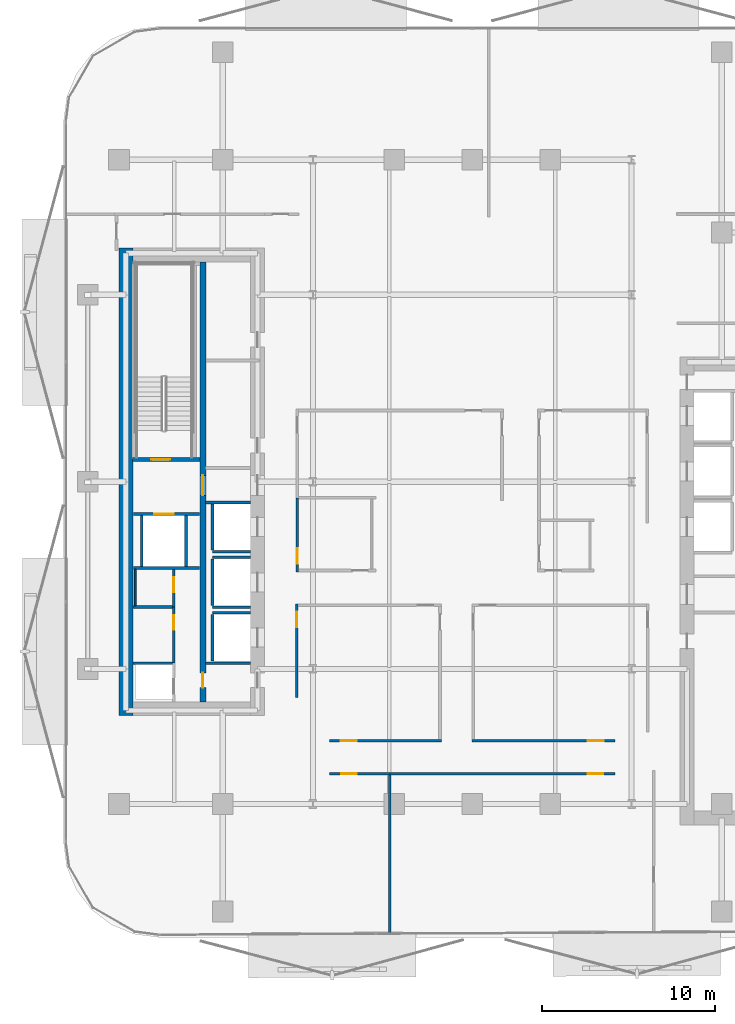
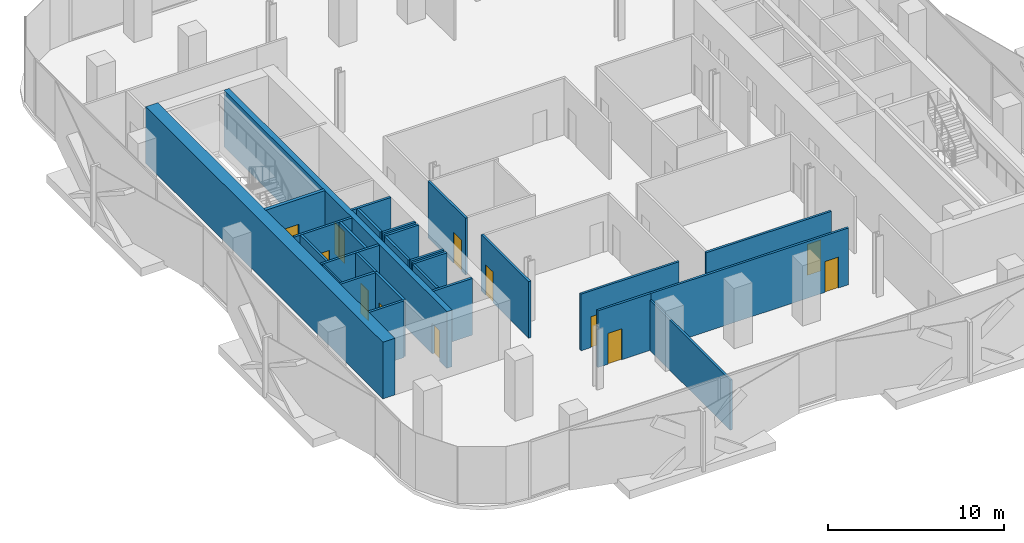
# One storey, part 3 of 15: 28 walls, 12 doors, 12 openings.
"""IFC4 building model written with IfcOpenShell, lengths in metres."""

from ifc_helpers import new_model, si_unit, direction, frame, frame_2d, origin, place, context, subcontext, project, spatial, rectangle, extrude, material, layer, layer_set, type_object, element, fill, save


model = new_model("IFC4")

# Units and contexts
model_context = context("Model", 3, precision=1e-05, world=origin(), true_north=direction((0.0, 1.0)))
body_context = subcontext(model_context, "Body", "Model", "MODEL_VIEW")
ifc_project = project(units=[si_unit("LENGTHUNIT", "METRE"), si_unit("AREAUNIT", "SQUARE_METRE"), si_unit("VOLUMEUNIT", "CUBIC_METRE"), si_unit("PLANEANGLEUNIT", "RADIAN"), si_unit("MASSUNIT", "GRAM", prefix="KILO")], contexts=[model_context])

# Site, building, storey
site_placement = place(None, origin())
site = spatial("IfcSite", under=ifc_project, at=site_placement, CompositionType="ELEMENT")
building_placement = place(site_placement, origin())
building = spatial("IfcBuilding", under=site, at=building_placement, Name="Khairoan Windgate Tower", CompositionType="ELEMENT")
storey_placement = place(building_placement, frame((0.0, 0.0, 110.0)))
storey = spatial("IfcBuildingStorey", under=building, at=storey_placement, Name="L25", CompositionType="ELEMENT", Elevation=110.0)

# Walls
ifc_material_1 = material(Name="Moisture-Resistant Gypsum Partition", Category="gypsum")
ifc_layer_1 = layer(ifc_material_1, 0.10009765625, Name="Moisture-Resistant Gypsum Partition")
ifc_layer_set_1 = layer_set([ifc_layer_1], Name="Moisture-Resistant Gypsum Partition")
wall_type_1 = type_object("IfcWallType", Name="Bathroom Wet-Area Partition Wall", PredefinedType="PARTITIONING", material=ifc_layer_set_1)
wall_1_placement = place(storey_placement, frame((-19.449951171875, -7.14990234375, 0.0), z_axis=(0.0, 0.0, 1.0), x_axis=(0.0, 1.0, 0.0)))
element("IfcWall", 1, at=wall_1_placement, inside=storey, type_object=wall_type_1, Name="L25 Wet Room Side Wall 045", PredefinedType="PARTITIONING", context=body_context, shape_type="SweptSolid", body=[
    extrude(rectangle(XDim=2.08984375, YDim=0.10009765625, at=frame_2d((1.044921875, 0.0))), origin(), (0.0, 0.0, 1.0), 3.93994140625),
])
ifc_material_2 = material(Name="Concrete C40/50", Category="concrete")
ifc_layer_2 = layer(ifc_material_2, 0.159912109375, Name="Concrete C40/50")
ifc_layer_set_2 = layer_set([ifc_layer_2], Name="Concrete C40/50")
wall_type_2 = type_object("IfcWallType", Name="Core and Hoistway Enclosure Wall", PredefinedType="STANDARD", material=ifc_layer_set_2)
wall_2_placement = place(storey_placement, frame((-14.989990234375, -4.0400390625, 0.0), z_axis=(0.0, 0.0, 1.0), x_axis=(1.0, 0.0, 0.0)))
element("IfcWall", 2, at=wall_2_placement, inside=storey, type_object=wall_type_2, Name="L25 Lift PL4 Hoistway Divider S", PredefinedType="STANDARD", context=body_context, shape_type="SweptSolid", body=[
    extrude(rectangle(XDim=2.18994140625, YDim=0.159912109375, at=frame_2d((1.094970703125, 0.0))), origin(), (0.0, 0.0, 1.0), 3.93994140625),
])
wall_3_placement = place(storey_placement, frame((-14.989990234375, -3.949951171875, 0.0), z_axis=(0.0, 0.0, 1.0), x_axis=(0.0, 1.0, 0.0)))
element("IfcWall", 3, at=wall_3_placement, inside=storey, type_object=wall_type_2, Name="L25 Lift PL4 Hoistway Back Wall", PredefinedType="STANDARD", context=body_context, shape_type="SweptSolid", body=[
    extrude(rectangle(XDim=2.699951171875, YDim=0.159912109375, at=frame_2d((1.35009765625, 0.0))), origin(), (0.0, 0.0, 1.0), 3.93994140625),
])
for number, where, z_axis, x_axis, name in (
    (4, (-14.989990234375, -7.239990234375, 0.0), (0.0, 0.0, 1.0), (1.0, 0.0, 0.0), "L25 Lift PL5 Hoistway Divider S"),
    (5, (-14.989990234375, -4.360107421875, 0.0), (0.0, 0.0, 1.0), (1.0, 0.0, 0.0), "L25 Lift PL5 Hoistway Divider N"),
):
    element("IfcWall", number, at=place(storey_placement, frame(where, z_axis=z_axis, x_axis=x_axis)), inside=storey, type_object=wall_type_2, Name=name, PredefinedType="STANDARD", context=body_context, shape_type="SweptSolid", body=[
        extrude(rectangle(XDim=2.18994140625, YDim=0.159912109375, at=frame_2d((1.094970703125, 0.0))), origin(), (0.0, 0.0, 1.0), 3.93994140625),
    ])
wall_4_placement = place(storey_placement, frame((-14.989990234375, -7.14990234375, 0.0), z_axis=(0.0, 0.0, 1.0), x_axis=(0.0, 1.0, 0.0)))
element("IfcWall", 6, at=wall_4_placement, inside=storey, type_object=wall_type_2, Name="L25 Lift PL5 Hoistway Back Wall", PredefinedType="STANDARD", context=body_context, shape_type="SweptSolid", body=[
    extrude(rectangle(XDim=2.699951171875, YDim=0.159912109375, at=frame_2d((1.35009765625, 0.0))), origin(), (0.0, 0.0, 1.0), 3.93994140625),
])
wall_5_placement = place(storey_placement, frame((-14.989990234375, -7.56005859375, 0.0), z_axis=(0.0, 0.0, 1.0), x_axis=(1.0, 0.0, 0.0)))
element("IfcWall", 7, at=wall_5_placement, inside=storey, type_object=wall_type_2, Name="L25 Lift PL6 Hoistway Divider N", PredefinedType="STANDARD", context=body_context, shape_type="SweptSolid", body=[
    extrude(rectangle(XDim=2.18994140625, YDim=0.159912109375, at=frame_2d((1.094970703125, 0.0))), origin(), (0.0, 0.0, 1.0), 3.93994140625),
])
wall_6_placement = place(storey_placement, frame((-14.989990234375, -10.35009765625, 0.0), z_axis=(0.0, 0.0, 1.0), x_axis=(0.0, 1.0, 0.0)))
element("IfcWall", 8, at=wall_6_placement, inside=storey, type_object=wall_type_2, Name="L25 Lift PL6 Hoistway Back Wall", PredefinedType="STANDARD", context=body_context, shape_type="SweptSolid", body=[
    extrude(rectangle(XDim=2.7001953125, YDim=0.159912109375, at=frame_2d((1.35009765625, 0.0))), origin(), (0.0, 0.0, 1.0), 3.93994140625),
])

# Wall, opening, door
wall_7_placement = place(storey_placement, frame((-19.550048828125, -1.860107421875, 0.0), z_axis=(0.0, 0.0, 1.0), x_axis=(1.0, 0.0, 0.0)))
wall_7 = element("IfcWall", 9, at=wall_7_placement, inside=storey, type_object=wall_type_2, Name="L25 Core Shaft Wall SW-FL2-L25", PredefinedType="STANDARD", context=body_context, shape_type="SweptSolid", body=[
    extrude(rectangle(XDim=3.800048828125, YDim=0.159912109375, at=frame_2d((1.89990234375, 0.0))), origin(), (0.0, 0.0, 1.0), 3.93994140625),
])
opening_1_placement = place(wall_7_placement, frame((1.179931640625, 0.0, 0.0)))
opening_1 = element("IfcOpeningElement", 10, at=opening_1_placement, cuts=wall_7, Name="Opening LD-FL", PredefinedType="OPENING", context=body_context, shape_type="SweptSolid", body=[
    extrude(rectangle(XDim=1.14990234375, YDim=2.199951171875, at=frame_2d((0.574951171875, 1.10009765625))), frame((0.0, 0.08984375, 0.0), z_axis=(0.0, -1.0, 0.0), x_axis=(1.0, 0.0, 0.0)), (0.0, 0.0, 1.0), 0.179931640625),
])
ifc_material_3 = material(Name="Steel S355", Category="steel")
door_type_1 = type_object("IfcDoorType", Name="Firefighting Lift Sliding Landing Door LD-FL 1150x2200", OperationType="DOUBLE_DOOR_SLIDING", PredefinedType="DOOR", material=ifc_material_3)
door_1_placement = place(opening_1_placement, origin())
door_1 = element("IfcDoor", 11, at=door_1_placement, inside=storey, type_object=door_type_1, Name="L25 Firefighting Lift FL2 Landing Door", OperationType="DOUBLE_DOOR_SLIDING", OverallHeight=2.199951171875, OverallWidth=1.14990234375, PredefinedType="DOOR", context=body_context, shape_type="SweptSolid", body=[
    extrude(rectangle(XDim=1.14990234375, YDim=2.199951171875, at=frame_2d((0.574951171875, 1.10009765625))), frame((0.0, 0.02490234375, 0.0), z_axis=(0.0, -1.0, 0.0), x_axis=(1.0, 0.0, 0.0)), (0.0, 0.0, 1.0), 0.050048828125),
])
fill(opening_1, door_1)

# Walls
wall_8_placement = place(storey_placement, frame((-19.550048828125, -4.97998046875, 0.0), z_axis=(0.0, 0.0, 1.0), x_axis=(1.0, 0.0, 0.0)))
element("IfcWall", 12, at=wall_8_placement, inside=storey, type_object=wall_type_2, Name="L25 Core Shaft Wall SW-FL2B-L25", PredefinedType="STANDARD", context=body_context, shape_type="SweptSolid", body=[
    extrude(rectangle(XDim=3.800048828125, YDim=0.159912109375, at=frame_2d((1.89990234375, 0.0))), origin(), (0.0, 0.0, 1.0), 3.93994140625),
])
for number, where, z_axis, x_axis, name in (
    (13, (-19.080078125, -4.89990234375, 0.0), (0.0, 0.0, 1.0), (0.0, 1.0, 0.0), "L25 Core Shaft Wall SW-FL2W-L25"),
    (14, (-16.52001953125, -4.89990234375, 0.0), (0.0, 0.0, 1.0), (0.0, 1.0, 0.0), "L25 Core Shaft Wall SW-FL2E-L25"),
):
    element("IfcWall", number, at=place(storey_placement, frame(where, z_axis=z_axis, x_axis=x_axis)), inside=storey, type_object=wall_type_2, Name=name, PredefinedType="STANDARD", context=body_context, shape_type="SweptSolid", body=[
        extrude(rectangle(XDim=2.9599609375, YDim=0.159912109375, at=frame_2d((1.47998046875, 0.0))), origin(), (0.0, 0.0, 1.0), 3.93994140625),
    ])
for number, where, z_axis, x_axis, name in (
    (15, (-15.39990234375, -1.199951171875, 0.0), (0.0, 0.0, 1.0), (1.0, 0.0, 0.0), "L25 Core Shaft Wall SW-WV2-L25"),
    (16, (-15.39990234375, -10.47998046875, 0.0), (0.0, 0.0, 1.0), (1.0, 0.0, 0.0), "L25 Core Shaft Wall SW-WSV-L25"),
):
    element("IfcWall", number, at=place(storey_placement, frame(where, z_axis=z_axis, x_axis=x_axis)), inside=storey, type_object=wall_type_2, Name=name, PredefinedType="STANDARD", context=body_context, shape_type="SweptSolid", body=[
        extrude(rectangle(XDim=2.599853515625, YDim=0.159912109375, at=frame_2d((1.2998046875, 0.0))), origin(), (0.0, 0.0, 1.0), 3.93994140625),
    ])
ifc_material_4 = material(Name="Acoustic Fire-Rated Gypsum Partition", Category="gypsum")
ifc_layer_3 = layer(ifc_material_4, 0.139892578125, Name="Acoustic Fire-Rated Gypsum Partition")
ifc_layer_set_3 = layer_set([ifc_layer_3], Name="Acoustic Fire-Rated Gypsum Partition")
wall_type_3 = type_object("IfcWallType", Name="Inter-Tenancy Compartment Wall", PredefinedType="PARTITIONING", material=ifc_layer_set_3)
wall_9_placement = place(storey_placement, frame((-4.760009765625, -26.08984375, 0.0), z_axis=(0.0, 0.0, 1.0), x_axis=(0.0, 1.0, 0.0)))
element("IfcWall", 17, at=wall_9_placement, inside=storey, type_object=wall_type_3, Name="L25 Interior Partition 041", PredefinedType="PARTITIONING", context=body_context, shape_type="SweptSolid", body=[
    extrude(rectangle(XDim=9.15478515625, YDim=0.139892578125, at=frame_2d((4.577392578125, 0.0))), origin(), (0.0, 0.0, 1.0), 3.489990234375),
])

# Wall, opening, door
ifc_material_5 = material(Name="Concrete C40/50", Category="concrete")
ifc_layer_4 = layer(ifc_material_5, 0.159912109375, Name="Concrete C40/50")
ifc_layer_set_4 = layer_set([ifc_layer_4], Name="Concrete C40/50")
wall_type_4 = type_object("IfcWallType", Name="Plant and Refuge Compartment Wall", PredefinedType="PARTITIONING", material=ifc_layer_set_4)
wall_10_placement = place(storey_placement, frame((-17.22998046875, -7.22998046875, 0.0), z_axis=(0.0, 0.0, 1.0), x_axis=(0.0, 1.0, 0.0)))
wall_10 = element("IfcWall", 18, at=wall_10_placement, inside=storey, type_object=wall_type_4, Name="L25 Interior Partition 002", PredefinedType="PARTITIONING", context=body_context, shape_type="SweptSolid", body=[
    extrude(rectangle(XDim=2.169921875, YDim=0.159912109375, at=frame_2d((1.0849609375, 0.0))), origin(), (0.0, 0.0, 1.0), 3.93994140625),
])
opening_2_placement = place(wall_10_placement, frame((0.860107421875, 0.0, 0.0)))
opening_2 = element("IfcOpeningElement", 19, at=opening_2_placement, cuts=wall_10, Name="Opening FD-SRV", PredefinedType="OPENING", context=body_context, shape_type="SweptSolid", body=[
    extrude(rectangle(XDim=0.85009765625, YDim=2.10009765625, at=frame_2d((0.425048828125, 1.050048828125))), frame((0.0, 0.08984375, 0.0), z_axis=(0.0, -1.0, 0.0), x_axis=(1.0, 0.0, 0.0)), (0.0, 0.0, 1.0), 0.179931640625),
])
ifc_material_6 = material(Name="Steel S355", Category="steel")
door_type_2 = type_object("IfcDoorType", Name="Core Service and Riser Fire Door FD-SRV 850x2100", OperationType="NOTDEFINED", PredefinedType="DOOR", material=ifc_material_6)
door_2_placement = place(opening_2_placement, origin())
door_2 = element("IfcDoor", 20, at=door_2_placement, inside=storey, type_object=door_type_2, Name="L25 L25-04-L25-06 Door", OperationType="SINGLE_SWING_LEFT", OverallHeight=2.10009765625, OverallWidth=0.85009765625, PredefinedType="DOOR", context=body_context, shape_type="SweptSolid", body=[
    extrude(rectangle(XDim=0.85009765625, YDim=2.10009765625, at=frame_2d((0.425048828125, 1.050048828125))), frame((0.0, 0.02490234375, 0.0), z_axis=(0.0, -1.0, 0.0), x_axis=(1.0, 0.0, 0.0)), (0.0, 0.0, 1.0), 0.050048828125),
])
fill(opening_2, door_2)

wall_11_placement = place(storey_placement, frame((-17.22998046875, -10.469970703125, 0.0), z_axis=(0.0, 0.0, 1.0), x_axis=(0.0, 1.0, 0.0)))
wall_11 = element("IfcWall", 21, at=wall_11_placement, inside=storey, type_object=wall_type_4, Name="L25 Interior Partition 003", PredefinedType="PARTITIONING", context=body_context, shape_type="SweptSolid", body=[
    extrude(rectangle(XDim=3.239990234375, YDim=0.159912109375, at=frame_2d((1.6201171875, 0.0))), origin(), (0.0, 0.0, 1.0), 3.93994140625),
])
opening_3_placement = place(wall_11_placement, frame((1.929931640625, 0.0, 0.0)))
opening_3 = element("IfcOpeningElement", 22, at=opening_3_placement, cuts=wall_11, Name="Opening FD-SRV", PredefinedType="OPENING", context=body_context, shape_type="SweptSolid", body=[
    extrude(rectangle(XDim=0.85009765625, YDim=2.10009765625, at=frame_2d((0.425048828125, 1.050048828125))), frame((0.0, 0.08984375, 0.0), z_axis=(0.0, -1.0, 0.0), x_axis=(1.0, 0.0, 0.0)), (0.0, 0.0, 1.0), 0.179931640625),
])
door_3_placement = place(opening_3_placement, origin())
door_3 = element("IfcDoor", 23, at=door_3_placement, inside=storey, type_object=door_type_2, Name="L25 L25-04-L25-07 Door", OperationType="SINGLE_SWING_RIGHT", OverallHeight=2.10009765625, OverallWidth=0.85009765625, PredefinedType="DOOR", context=body_context, shape_type="SweptSolid", body=[
    extrude(rectangle(XDim=0.85009765625, YDim=2.10009765625, at=frame_2d((0.425048828125, 1.050048828125))), frame((0.0, 0.02490234375, 0.0), z_axis=(0.0, -1.0, 0.0), x_axis=(1.0, 0.0, 0.0)), (0.0, 0.0, 1.0), 0.050048828125),
])
fill(opening_3, door_3)

# Walls
for number, where, z_axis, x_axis, name in (
    (24, (-19.60009765625, -10.469970703125, 0.0), (0.0, 0.0, 1.0), (1.0, 0.0, 0.0), "L25 Interior Partition 004"),
    (25, (-19.60009765625, -7.22998046875, 0.0), (0.0, 0.0, 1.0), (1.0, 0.0, 0.0), "L25 Interior Partition 005"),
):
    element("IfcWall", number, at=place(storey_placement, frame(where, z_axis=z_axis, x_axis=x_axis)), inside=storey, type_object=wall_type_4, Name=name, PredefinedType="PARTITIONING", context=body_context, shape_type="SweptSolid", body=[
        extrude(rectangle(XDim=2.2900390625, YDim=0.159912109375, at=frame_2d((1.14501953125, 0.0))), origin(), (0.0, 0.0, 1.0), 3.93994140625),
    ])

# Wall, opening, door
ifc_material_7 = material(Name="Acoustic Fire-Rated Gypsum Partition", Category="gypsum")
ifc_layer_5 = layer(ifc_material_7, 0.14990234375, Name="Acoustic Fire-Rated Gypsum Partition")
ifc_layer_set_5 = layer_set([ifc_layer_5], Name="Acoustic Fire-Rated Gypsum Partition")
wall_type_5 = type_object("IfcWallType", Name="Rated Corridor Partition Wall", PredefinedType="PARTITIONING", material=ifc_layer_set_5)
wall_12_placement = place(storey_placement, frame((-10.10009765625, -5.195068359375, 0.0), z_axis=(0.0, 0.0, 1.0), x_axis=(0.0, 1.0, 0.0)))
wall_12 = element("IfcWall", 26, at=wall_12_placement, inside=storey, type_object=wall_type_5, Name="L25 Interior Partition 013", PredefinedType="PARTITIONING", context=body_context, shape_type="SweptSolid", body=[
    extrude(rectangle(XDim=4.275146484375, YDim=0.14990234375, at=frame_2d((2.1376953125, 0.0))), origin(), (0.0, 0.0, 1.0), 3.93994140625),
])
opening_4_placement = place(wall_12_placement, frame((0.4599609375, 0.0, 0.0)))
opening_4 = element("IfcOpeningElement", 27, at=opening_4_placement, cuts=wall_12, Name="Opening FD-ENT", PredefinedType="OPENING", context=body_context, shape_type="SweptSolid", body=[
    extrude(rectangle(XDim=0.89990234375, YDim=2.14990234375, at=frame_2d((0.449951171875, 1.074951171875))), frame((0.0, 0.0849609375, 0.0), z_axis=(0.0, -1.0, 0.0), x_axis=(1.0, 0.0, 0.0)), (0.0, 0.0, 1.0), 0.169921875),
])
ifc_material_8 = material(Name="Timber Fire-Rated Core", Category="wood")
door_type_3 = type_object("IfcDoorType", Name="Unit and Office Fire Entrance Door FD-ENT 900x2150", OperationType="NOTDEFINED", PredefinedType="DOOR", material=ifc_material_8)
door_4_placement = place(opening_4_placement, origin())
door_4 = element("IfcDoor", 28, at=door_4_placement, inside=storey, type_object=door_type_3, Name="L25 L25-28-L25-47 Door", OperationType="SINGLE_SWING_LEFT", OverallHeight=2.14990234375, OverallWidth=0.89990234375, PredefinedType="DOOR", context=body_context, shape_type="SweptSolid", body=[
    extrude(rectangle(XDim=0.89990234375, YDim=2.14990234375, at=frame_2d((0.449951171875, 1.074951171875))), frame((0.0, 0.02490234375, 0.0), z_axis=(0.0, -1.0, 0.0), x_axis=(1.0, 0.0, 0.0)), (0.0, 0.0, 1.0), 0.050048828125),
])
fill(opening_4, door_4)

wall_13_placement = place(storey_placement, frame((-10.125, -12.43994140625, 0.0), z_axis=(0.0, 0.0, 1.0), x_axis=(0.0, 1.0, 0.0)))
wall_13 = element("IfcWall", 29, at=wall_13_placement, inside=storey, type_object=wall_type_5, Name="L25 Interior Partition 015", PredefinedType="PARTITIONING", context=body_context, shape_type="SweptSolid", body=[
    extrude(rectangle(XDim=5.39990234375, YDim=0.14990234375, at=frame_2d((2.699951171875, 0.0))), origin(), (0.0, 0.0, 1.0), 3.93994140625),
])
opening_5_placement = place(wall_13_placement, frame((4.0400390625, 0.0, 0.0)))
opening_5 = element("IfcOpeningElement", 30, at=opening_5_placement, cuts=wall_13, Name="Opening FD-ENT", PredefinedType="OPENING", context=body_context, shape_type="SweptSolid", body=[
    extrude(rectangle(XDim=0.89990234375, YDim=2.14990234375, at=frame_2d((0.449951171875, 1.074951171875))), frame((0.0, 0.0849609375, 0.0), z_axis=(0.0, -1.0, 0.0), x_axis=(1.0, 0.0, 0.0)), (0.0, 0.0, 1.0), 0.169921875),
])
door_5_placement = place(opening_5_placement, origin())
door_5 = element("IfcDoor", 31, at=door_5_placement, inside=storey, type_object=door_type_3, Name="L25 L25-28-L25-49 Door", OperationType="SINGLE_SWING_LEFT", OverallHeight=2.14990234375, OverallWidth=0.89990234375, PredefinedType="DOOR", context=body_context, shape_type="SweptSolid", body=[
    extrude(rectangle(XDim=0.89990234375, YDim=2.14990234375, at=frame_2d((0.449951171875, 1.074951171875))), frame((0.0, 0.02490234375, 0.0), z_axis=(0.0, -1.0, 0.0), x_axis=(1.0, 0.0, 0.0)), (0.0, 0.0, 1.0), 0.050048828125),
])
fill(opening_5, door_5)

wall_14_placement = place(storey_placement, frame((-8.239990234375, -16.860107421875, 0.0), z_axis=(0.0, 0.0, 1.0), x_axis=(1.0, 0.0, 0.0)))
wall_14 = element("IfcWall", 32, at=wall_14_placement, inside=storey, type_object=wall_type_5, Name="L25 Interior Partition 031", PredefinedType="PARTITIONING", context=body_context, shape_type="SweptSolid", body=[
    extrude(rectangle(XDim=3.47998046875, YDim=0.14990234375, at=frame_2d((1.739990234375, 0.0))), origin(), (0.0, 0.0, 1.0), 3.93994140625),
])
opening_6_placement = place(wall_14_placement, frame((0.66748046875, 0.0, 0.0)))
opening_6 = element("IfcOpeningElement", 33, at=opening_6_placement, cuts=wall_14, Name="Opening FD-ENT", PredefinedType="OPENING", context=body_context, shape_type="SweptSolid", body=[
    extrude(rectangle(XDim=0.89990234375, YDim=2.14990234375, at=frame_2d((0.449951171875, 1.074951171875))), frame((0.0, 0.0849609375, 0.0), z_axis=(0.0, -1.0, 0.0), x_axis=(1.0, 0.0, 0.0)), (0.0, 0.0, 1.0), 0.169921875),
])
door_6_placement = place(opening_6_placement, origin())
door_6 = element("IfcDoor", 34, at=door_6_placement, inside=storey, type_object=door_type_3, Name="L25 L25-35-L25-42 Door", OperationType="SINGLE_SWING_LEFT", OverallHeight=2.14990234375, OverallWidth=0.89990234375, PredefinedType="DOOR", context=body_context, shape_type="SweptSolid", body=[
    extrude(rectangle(XDim=0.89990234375, YDim=2.14990234375, at=frame_2d((0.449951171875, 1.074951171875))), frame((0.0, 0.02490234375, 0.0), z_axis=(0.0, -1.0, 0.0), x_axis=(1.0, 0.0, 0.0)), (0.0, 0.0, 1.0), 0.050048828125),
])
fill(opening_6, door_6)

wall_15_placement = place(storey_placement, frame((-4.760009765625, -16.860107421875, 0.0), z_axis=(0.0, 0.0, 1.0), x_axis=(1.0, 0.0, 0.0)))
wall_15 = element("IfcWall", 35, at=wall_15_placement, inside=storey, type_object=wall_type_5, Name="L25 Interior Partition 032", PredefinedType="PARTITIONING", context=body_context, shape_type="SweptSolid", body=[
    extrude(rectangle(XDim=13.0, YDim=0.14990234375, at=frame_2d((6.5, 0.0))), origin(), (0.0, 0.0, 1.0), 3.93994140625),
])
opening_7_placement = place(wall_15_placement, frame((11.436767578125, 0.0, 0.0)))
opening_7 = element("IfcOpeningElement", 36, at=opening_7_placement, cuts=wall_15, Name="Opening FD-ENT", PredefinedType="OPENING", context=body_context, shape_type="SweptSolid", body=[
    extrude(rectangle(XDim=0.89990234375, YDim=2.14990234375, at=frame_2d((0.449951171875, 1.074951171875))), frame((0.0, 0.0849609375, 0.0), z_axis=(0.0, -1.0, 0.0), x_axis=(1.0, 0.0, 0.0)), (0.0, 0.0, 1.0), 0.169921875),
])
door_7_placement = place(opening_7_placement, origin())
door_7 = element("IfcDoor", 37, at=door_7_placement, inside=storey, type_object=door_type_3, Name="L25 L25-35-L25-43 Door", OperationType="SINGLE_SWING_RIGHT", OverallHeight=2.14990234375, OverallWidth=0.89990234375, PredefinedType="DOOR", context=body_context, shape_type="SweptSolid", body=[
    extrude(rectangle(XDim=0.89990234375, YDim=2.14990234375, at=frame_2d((0.449951171875, 1.074951171875))), frame((0.0, 0.02490234375, 0.0), z_axis=(0.0, -1.0, 0.0), x_axis=(1.0, 0.0, 0.0)), (0.0, 0.0, 1.0), 0.050048828125),
])
fill(opening_7, door_7)

wall_16_placement = place(storey_placement, frame((-8.239990234375, -14.93994140625, 0.0), z_axis=(0.0, 0.0, 1.0), x_axis=(1.0, 0.0, 0.0)))
wall_16 = element("IfcWall", 38, at=wall_16_placement, inside=storey, type_object=wall_type_5, Name="L25 Interior Partition 033", PredefinedType="PARTITIONING", context=body_context, shape_type="SweptSolid", body=[
    extrude(rectangle(XDim=6.455078125, YDim=0.14990234375, at=frame_2d((3.2275390625, 0.0))), origin(), (0.0, 0.0, 1.0), 3.93994140625),
])
opening_8_placement = place(wall_16_placement, frame((0.66162109375, 0.0, 0.0)))
opening_8 = element("IfcOpeningElement", 39, at=opening_8_placement, cuts=wall_16, Name="Opening FD-ENT", PredefinedType="OPENING", context=body_context, shape_type="SweptSolid", body=[
    extrude(rectangle(XDim=0.89990234375, YDim=2.14990234375, at=frame_2d((0.449951171875, 1.074951171875))), frame((0.0, 0.0849609375, 0.0), z_axis=(0.0, -1.0, 0.0), x_axis=(1.0, 0.0, 0.0)), (0.0, 0.0, 1.0), 0.169921875),
])
door_8_placement = place(opening_8_placement, origin())
door_8 = element("IfcDoor", 40, at=door_8_placement, inside=storey, type_object=door_type_3, Name="L25 L25-35-L25-49 Door", OperationType="SINGLE_SWING_LEFT", OverallHeight=2.14990234375, OverallWidth=0.89990234375, PredefinedType="DOOR", context=body_context, shape_type="SweptSolid", body=[
    extrude(rectangle(XDim=0.89990234375, YDim=2.14990234375, at=frame_2d((0.449951171875, 1.074951171875))), frame((0.0, 0.02490234375, 0.0), z_axis=(0.0, -1.0, 0.0), x_axis=(1.0, 0.0, 0.0)), (0.0, 0.0, 1.0), 0.050048828125),
])
fill(opening_8, door_8)

wall_17_placement = place(storey_placement, frame((-0.014892578125, -14.93994140625, 0.0), z_axis=(0.0, 0.0, 1.0), x_axis=(1.0, 0.0, 0.0)))
wall_17 = element("IfcWall", 41, at=wall_17_placement, inside=storey, type_object=wall_type_5, Name="L25 Interior Partition 034", PredefinedType="PARTITIONING", context=body_context, shape_type="SweptSolid", body=[
    extrude(rectangle(XDim=8.2548828125, YDim=0.14990234375, at=frame_2d((4.12744140625, 0.0))), origin(), (0.0, 0.0, 1.0), 3.93994140625),
])
opening_9_placement = place(wall_17_placement, frame((6.69384765625, 0.0, 0.0)))
opening_9 = element("IfcOpeningElement", 42, at=opening_9_placement, cuts=wall_17, Name="Opening FD-ENT", PredefinedType="OPENING", context=body_context, shape_type="SweptSolid", body=[
    extrude(rectangle(XDim=0.89990234375, YDim=2.14990234375, at=frame_2d((0.449951171875, 1.074951171875))), frame((0.0, 0.0849609375, 0.0), z_axis=(0.0, -1.0, 0.0), x_axis=(1.0, 0.0, 0.0)), (0.0, 0.0, 1.0), 0.169921875),
])
door_9_placement = place(opening_9_placement, origin())
door_9 = element("IfcDoor", 43, at=door_9_placement, inside=storey, type_object=door_type_3, Name="L25 L25-35-L25-50 Door", OperationType="SINGLE_SWING_RIGHT", OverallHeight=2.14990234375, OverallWidth=0.89990234375, PredefinedType="DOOR", context=body_context, shape_type="SweptSolid", body=[
    extrude(rectangle(XDim=0.89990234375, YDim=2.14990234375, at=frame_2d((0.449951171875, 1.074951171875))), frame((0.0, 0.02490234375, 0.0), z_axis=(0.0, -1.0, 0.0), x_axis=(1.0, 0.0, 0.0)), (0.0, 0.0, 1.0), 0.050048828125),
])
fill(opening_9, door_9)

# Wall
ifc_material_9 = material(Name="Concrete C70/85", Category="concrete")
ifc_layer_6 = layer(ifc_material_9, 0.800048828125, Name="Concrete C70/85")
ifc_layer_set_6 = layer_set([ifc_layer_6], Name="Concrete C70/85")
wall_type_6 = type_object("IfcWallType", Name="Shear Wall CW-W1 800mm", PredefinedType="SHEAR", material=ifc_layer_set_6)
wall_18_placement = place(storey_placement, frame((-20.0, -13.5, 0.0), z_axis=(0.0, 0.0, 1.0), x_axis=(0.0, 1.0, 0.0)))
element("IfcWall", 44, at=wall_18_placement, inside=storey, type_object=wall_type_6, Name="W Core West Shear Wall L25", PredefinedType="SHEAR", context=body_context, shape_type="SweptSolid", body=[
    extrude(rectangle(XDim=27.0, YDim=0.800048828125, at=frame_2d((13.5, 0.0))), origin(), (0.0, 0.0, 1.0), 3.93994140625),
])

# Wall, openings, doors
ifc_material_10 = material(Name="Concrete C60/75", Category="concrete")
ifc_layer_7 = layer(ifc_material_10, 0.35009765625, Name="Concrete C60/75")
ifc_layer_set_7 = layer_set([ifc_layer_7], Name="Concrete C60/75")
wall_type_7 = type_object("IfcWallType", Name="Shear Wall SW-1 350mm", PredefinedType="SHEAR", material=ifc_layer_set_7)
wall_19_placement = place(storey_placement, frame((-15.550048828125, -12.699951171875, 0.0), z_axis=(0.0, 0.0, 1.0), x_axis=(0.0, 1.0, 0.0)))
wall_19 = element("IfcWall", 45, at=wall_19_placement, inside=storey, type_object=wall_type_7, Name="W Core Spine Shear Wall L25", PredefinedType="SHEAR", context=body_context, shape_type="SweptSolid", body=[
    extrude(rectangle(XDim=25.39990234375, YDim=0.35009765625, at=frame_2d((12.699951171875, 0.0))), origin(), (0.0, 0.0, 1.0), 3.93994140625),
])
opening_10_placement = place(wall_19_placement, frame((11.925048828125, 0.0, 0.0)))
opening_10 = element("IfcOpeningElement", 46, at=opening_10_placement, cuts=wall_19, Name="Opening FD-FFL", PredefinedType="OPENING", context=body_context, shape_type="SweptSolid", body=[
    extrude(rectangle(XDim=1.14990234375, YDim=2.199951171875, at=frame_2d((0.574951171875, 1.10009765625))), frame((0.0, 0.18505859375, 0.0), z_axis=(0.0, -1.0, 0.0), x_axis=(1.0, 0.0, 0.0)), (0.0, 0.0, 1.0), 0.3701171875),
])
opening_11_placement = place(wall_19_placement, frame((0.824951171875, 0.0, 0.0)))
opening_11 = element("IfcOpeningElement", 47, at=opening_11_placement, cuts=wall_19, Name="Opening FD-SRV", PredefinedType="OPENING", context=body_context, shape_type="SweptSolid", body=[
    extrude(rectangle(XDim=0.85009765625, YDim=2.10009765625, at=frame_2d((0.425048828125, 1.050048828125))), frame((0.0, 0.18505859375, 0.0), z_axis=(0.0, -1.0, 0.0), x_axis=(1.0, 0.0, 0.0)), (0.0, 0.0, 1.0), 0.3701171875),
])
door_10_placement = place(opening_11_placement, origin())
door_10 = element("IfcDoor", 48, at=door_10_placement, inside=storey, type_object=door_type_2, Name="L25 West Core Service Passage Inner Door", OperationType="SINGLE_SWING_LEFT", OverallHeight=2.10009765625, OverallWidth=0.85009765625, PredefinedType="DOOR", context=body_context, shape_type="SweptSolid", body=[
    extrude(rectangle(XDim=0.85009765625, YDim=2.10009765625, at=frame_2d((0.425048828125, 1.050048828125))), frame((0.0, 0.02490234375, 0.0), z_axis=(0.0, -1.0, 0.0), x_axis=(1.0, 0.0, 0.0)), (0.0, 0.0, 1.0), 0.050048828125),
])
fill(opening_11, door_10)
ifc_material_11 = material(Name="Steel S355", Category="steel")
door_type_4 = type_object("IfcDoorType", Name="Firefighting Lobby Fire Door FD-FFL 1150x2200", OperationType="NOTDEFINED", PredefinedType="DOOR", material=ifc_material_11)
door_11_placement = place(opening_10_placement, origin())
door_11 = element("IfcDoor", 49, at=door_11_placement, inside=storey, type_object=door_type_4, Name="L25 West Firefighting Lobby Fire Door", OperationType="SINGLE_SWING_LEFT", OverallHeight=2.199951171875, OverallWidth=1.14990234375, PredefinedType="DOOR", context=body_context, shape_type="SweptSolid", body=[
    extrude(rectangle(XDim=1.14990234375, YDim=2.199951171875, at=frame_2d((0.574951171875, 1.10009765625))), frame((0.0, 0.02490234375, 0.0), z_axis=(0.0, -1.0, 0.0), x_axis=(1.0, 0.0, 0.0)), (0.0, 0.0, 1.0), 0.050048828125),
])
fill(opening_10, door_11)

# Wall, opening, door
ifc_material_12 = material(Name="Concrete C50/60", Category="concrete")
ifc_layer_8 = layer(ifc_material_12, 0.219970703125, Name="Concrete C50/60")
ifc_layer_set_8 = layer_set([ifc_layer_8], Name="Concrete C50/60")
wall_type_8 = type_object("IfcWallType", Name="Shear Wall SW-ST 220mm", PredefinedType="SHEAR", material=ifc_layer_set_8)
wall_20_placement = place(storey_placement, frame((-19.6201171875, 1.2900390625, 0.0), z_axis=(0.0, 0.0, 1.0), x_axis=(1.0, 0.0, 0.0)))
wall_20 = element("IfcWall", 50, at=wall_20_placement, inside=storey, type_object=wall_type_8, Name="L25 Stair ST2 South Bearing Wall", PredefinedType="SHEAR", context=body_context, shape_type="SweptSolid", body=[
    extrude(rectangle(XDim=3.9150390625, YDim=0.219970703125, at=frame_2d((1.95751953125, 0.0))), origin(), (0.0, 0.0, 1.0), 3.93994140625),
])
opening_12_placement = place(wall_20_placement, frame((1.080078125, 0.0, 0.0)))
opening_12 = element("IfcOpeningElement", 51, at=opening_12_placement, cuts=wall_20, Name="Opening FD-ST", PredefinedType="OPENING", context=body_context, shape_type="SweptSolid", body=[
    extrude(rectangle(XDim=1.10009765625, YDim=2.199951171875, at=frame_2d((0.550048828125, 1.10009765625))), frame((0.0, 0.119873046875, 0.0), z_axis=(0.0, -1.0, 0.0), x_axis=(1.0, 0.0, 0.0)), (0.0, 0.0, 1.0), 0.239990234375),
])
ifc_material_13 = material(Name="Steel S355", Category="steel")
door_type_5 = type_object("IfcDoorType", Name="Smokeproof Stair Fire Door FD-ST 1100x2200", OperationType="NOTDEFINED", PredefinedType="DOOR", material=ifc_material_13)
door_12_placement = place(opening_12_placement, origin())
door_12 = element("IfcDoor", 52, at=door_12_placement, inside=storey, type_object=door_type_5, Name="L25 Stair ST2 Fire Door", OperationType="SINGLE_SWING_RIGHT", OverallHeight=2.199951171875, OverallWidth=1.10009765625, PredefinedType="DOOR", context=body_context, shape_type="SweptSolid", body=[
    extrude(rectangle(XDim=1.10009765625, YDim=2.199951171875, at=frame_2d((0.550048828125, 1.10009765625))), frame((0.0, 0.02490234375, 0.0), z_axis=(0.0, -1.0, 0.0), x_axis=(1.0, 0.0, 0.0)), (0.0, 0.0, 1.0), 0.050048828125),
])
fill(opening_12, door_12)

save(model, "model.ifc")
